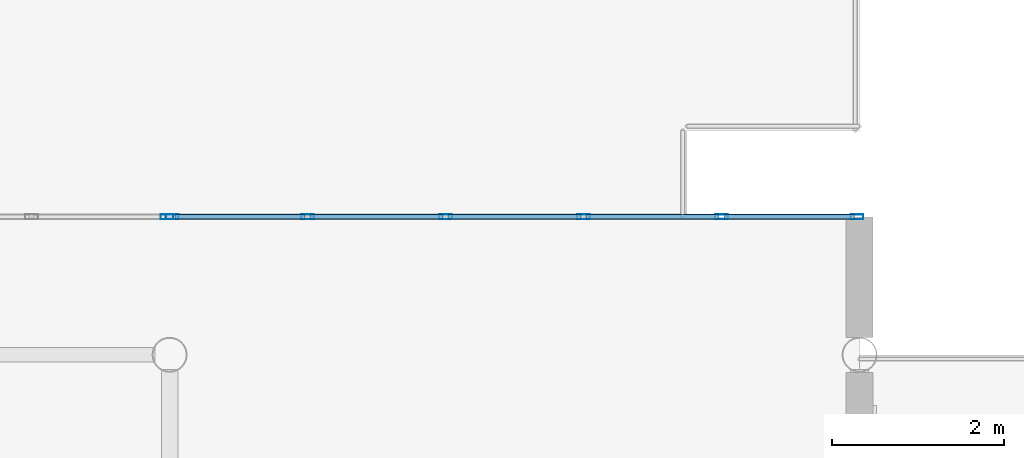
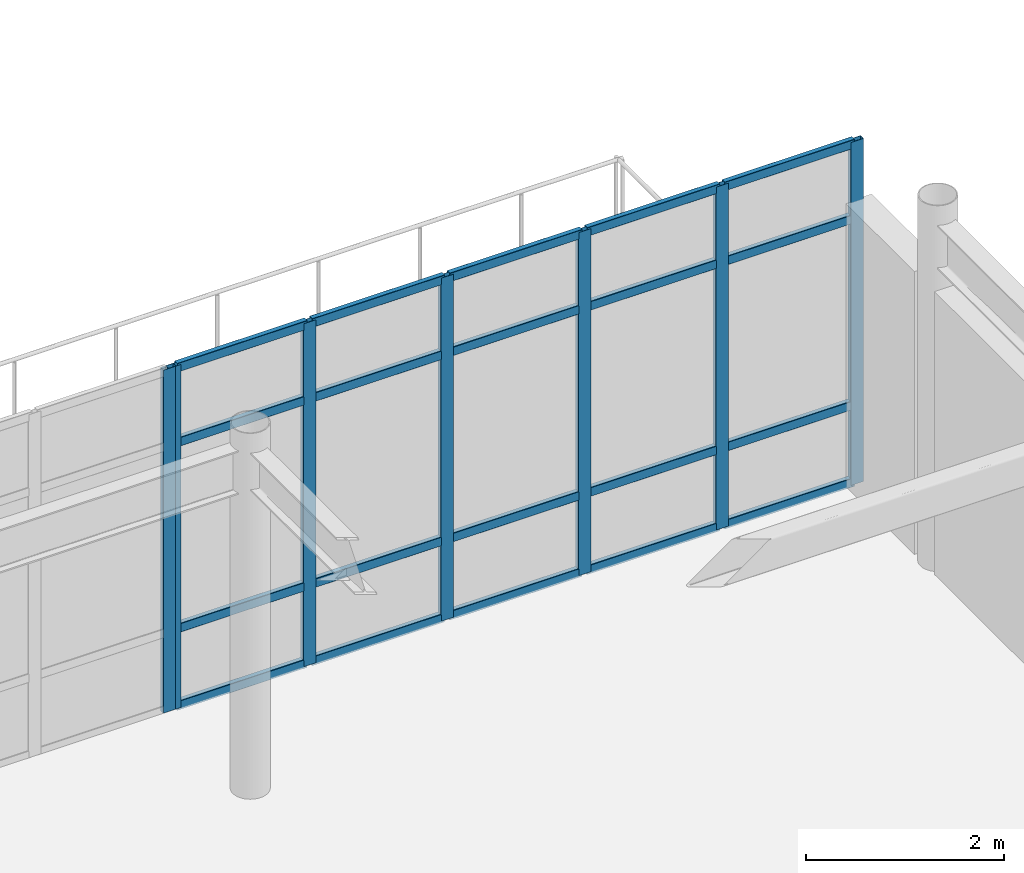
# One storey, part 31 of 93: 27 members, 2 elements without a shape of their own.
"""IFC4 building model written with IfcOpenShell, lengths in metres."""

from ifc_helpers import new_model, si_unit, direction, frame, origin, origin_2d, place, context, subcontext, project, spatial, hollow_rectangle, extrude, material, material_profile, profile_set, type_object, element, aggregate, save


model = new_model("IFC4")

# Units and contexts
model_context = context("Model", 3, precision=1e-05, world=origin(), true_north=direction((0.0, 1.0)))
body_context = subcontext(model_context, "Body", "Model", "MODEL_VIEW")
ifc_project = project(units=[si_unit("LENGTHUNIT", "METRE"), si_unit("AREAUNIT", "SQUARE_METRE"), si_unit("VOLUMEUNIT", "CUBIC_METRE"), si_unit("PLANEANGLEUNIT", "RADIAN"), si_unit("MASSUNIT", "GRAM", prefix="KILO")], contexts=[model_context])

# Site, building, storey
site_placement = place(None, origin())
site = spatial("IfcSite", under=ifc_project, at=site_placement, CompositionType="ELEMENT")
building_placement = place(site_placement, origin())
building = spatial("IfcBuilding", under=site, at=building_placement, Name="Solmirada Galleria", CompositionType="ELEMENT")
storey_placement = place(building_placement, frame((0.0, 0.0, 14.89990234375)))
storey = spatial("IfcBuildingStorey", under=building, at=storey_placement, Name="L03", CompositionType="ELEMENT", Elevation=14.89990234375)

# Curtain wall, member
ifc_material_1 = material(Name="Impact-resistant low-E double glazing", Category="glass")
curtain_wall_type = type_object("IfcCurtainWallType", Name="CW-FZ5-L03-B5-L080", PredefinedType="NOTDEFINED", material=ifc_material_1)
curtain_wall_1_placement = place(storey_placement, origin())
curtain_wall_1 = element("IfcCurtainWall", 1, at=curtain_wall_1_placement, inside=storey, type_object=curtain_wall_type, Name="Terrace and arcade storefront CW-L03-139", PredefinedType="NOTDEFINED")
ifc_material_2 = material(Name="Anodised aluminium framing", Category="aluminium")
ifc_material_profile_1 = material_profile(ifc_material_2, hollow_rectangle(XDim=0.06005859375, YDim=0.14990234375, WallThickness=0.00341796875, InnerFilletRadius=0.00341796875, OuterFilletRadius=0.007080078125, at=origin_2d()), Name="ALU-MULL-150X60")
ifc_profile_set_1 = profile_set([ifc_material_profile_1], Name="Anodised aluminium framing")
member_type_1 = type_object("IfcMemberType", Name="CW-MULL-150", PredefinedType="MULLION", material=ifc_profile_set_1)
member_1_placement = place(storey_placement, frame((135.969970703125, 33.60009765625, 0.0), z_axis=(0.0, 0.0, 1.0), x_axis=(0.0, 1.0, 0.0)))
member_1 = element("IfcMember", 2, at=member_1_placement, type_object=member_type_1, Name="CW29 mullion 6", PredefinedType="MULLION", context=body_context, shape_type="SweptSolid", body=[
    extrude(hollow_rectangle(XDim=0.06005859375, YDim=0.14990234375, WallThickness=0.00341796875, InnerFilletRadius=0.00341796875, OuterFilletRadius=0.007080078125, at=origin_2d()), origin(), (0.0, 0.0, 1.0), 4.22021484375),
])
aggregate(curtain_wall_1, [member_1])

# Curtain wall, members
curtain_wall_2_placement = place(storey_placement, origin())
curtain_wall_2 = element("IfcCurtainWall", 3, at=curtain_wall_2_placement, inside=storey, type_object=curtain_wall_type, Name="Terrace and arcade storefront CW-L03-140", PredefinedType="NOTDEFINED")
member_2_placement = place(storey_placement, frame((136.030029296875, 33.60009765625, 0.0), z_axis=(0.0, 0.0, 1.0), x_axis=(0.0, 1.0, 0.0)))
member_2 = element("IfcMember", 4, at=member_2_placement, type_object=member_type_1, Name="CW29 mullion 1", PredefinedType="MULLION", context=body_context, shape_type="SweptSolid", body=[
    extrude(hollow_rectangle(XDim=0.06005859375, YDim=0.14990234375, WallThickness=0.00341796875, InnerFilletRadius=0.00341796875, OuterFilletRadius=0.007080078125, at=origin_2d()), origin(), (0.0, 0.0, 1.0), 4.22021484375),
])
member_3_placement = place(storey_placement, frame((137.60009765625, 33.60009765625, 0.0), z_axis=(0.0, 0.0, 1.0), x_axis=(0.0, 1.0, 0.0)))
member_3 = element("IfcMember", 5, at=member_3_placement, type_object=member_type_1, Name="CW29 mullion 2", PredefinedType="MULLION", context=body_context, shape_type="SweptSolid", body=[
    extrude(hollow_rectangle(XDim=0.06005859375, YDim=0.14990234375, WallThickness=0.00341796875, InnerFilletRadius=0.00341796875, OuterFilletRadius=0.007080078125, at=origin_2d()), origin(), (0.0, 0.0, 1.0), 4.22021484375),
])
member_4_placement = place(storey_placement, frame((139.199951171875, 33.60009765625, 0.0), z_axis=(0.0, 0.0, 1.0), x_axis=(0.0, 1.0, 0.0)))
member_4 = element("IfcMember", 6, at=member_4_placement, type_object=member_type_1, Name="CW29 mullion 3", PredefinedType="MULLION", context=body_context, shape_type="SweptSolid", body=[
    extrude(hollow_rectangle(XDim=0.06005859375, YDim=0.14990234375, WallThickness=0.00341796875, InnerFilletRadius=0.00341796875, OuterFilletRadius=0.007080078125, at=origin_2d()), origin(), (0.0, 0.0, 1.0), 4.22021484375),
])
member_5_placement = place(storey_placement, frame((140.800048828125, 33.60009765625, 0.0), z_axis=(0.0, 0.0, 1.0), x_axis=(0.0, 1.0, 0.0)))
member_5 = element("IfcMember", 7, at=member_5_placement, type_object=member_type_1, Name="CW29 mullion 4", PredefinedType="MULLION", context=body_context, shape_type="SweptSolid", body=[
    extrude(hollow_rectangle(XDim=0.06005859375, YDim=0.14990234375, WallThickness=0.00341796875, InnerFilletRadius=0.00341796875, OuterFilletRadius=0.007080078125, at=origin_2d()), origin(), (0.0, 0.0, 1.0), 4.22021484375),
])
member_6_placement = place(storey_placement, frame((142.39990234375, 33.60009765625, 0.0), z_axis=(0.0, 0.0, 1.0), x_axis=(0.0, 1.0, 0.0)))
member_6 = element("IfcMember", 8, at=member_6_placement, type_object=member_type_1, Name="CW29 mullion 5", PredefinedType="MULLION", context=body_context, shape_type="SweptSolid", body=[
    extrude(hollow_rectangle(XDim=0.06005859375, YDim=0.14990234375, WallThickness=0.00341796875, InnerFilletRadius=0.00341796875, OuterFilletRadius=0.007080078125, at=origin_2d()), origin(), (0.0, 0.0, 1.0), 4.22021484375),
])
member_7_placement = place(storey_placement, frame((143.969970703125, 33.60009765625, 0.0), z_axis=(0.0, 0.0, 1.0), x_axis=(0.0, 1.0, 0.0)))
member_7 = element("IfcMember", 9, at=member_7_placement, type_object=member_type_1, Name="CW29 mullion 6", PredefinedType="MULLION", context=body_context, shape_type="SweptSolid", body=[
    extrude(hollow_rectangle(XDim=0.06005859375, YDim=0.14990234375, WallThickness=0.00341796875, InnerFilletRadius=0.00341796875, OuterFilletRadius=0.007080078125, at=origin_2d()), origin(), (0.0, 0.0, 1.0), 4.22021484375),
])
ifc_material_profile_2 = material_profile(ifc_material_2, hollow_rectangle(XDim=0.06005859375, YDim=0.110107421875, WallThickness=0.003173828125, InnerFilletRadius=0.003173828125, OuterFilletRadius=0.00634765625, at=origin_2d()), Name="ALU-TRAN-110X60")
ifc_profile_set_2 = profile_set([ifc_material_profile_2], Name="Anodised aluminium framing")
member_type_2 = type_object("IfcMemberType", Name="CW-TRAN-110", PredefinedType="USERDEFINED", material=ifc_profile_set_2)
member_8_placement = place(storey_placement, frame((136.06005859375, 33.60009765625, 0.030029296875), z_axis=(1.0, 0.0, 0.0), x_axis=(0.0, 1.0, 0.0)))
member_8 = element("IfcMember", 10, at=member_8_placement, type_object=member_type_2, Name="CW29 transom 1.1", ObjectType="TRANSOM", PredefinedType="USERDEFINED", context=body_context, shape_type="SweptSolid", body=[
    extrude(hollow_rectangle(XDim=0.06005859375, YDim=0.110107421875, WallThickness=0.003173828125, InnerFilletRadius=0.003173828125, OuterFilletRadius=0.00634765625, at=origin_2d()), origin(), (0.0, 0.0, 1.0), 1.510009765625),
])
member_9_placement = place(storey_placement, frame((136.06005859375, 33.60009765625, 0.97998046875), z_axis=(1.0, 0.0, 0.0), x_axis=(0.0, 1.0, 0.0)))
member_9 = element("IfcMember", 11, at=member_9_placement, type_object=member_type_2, Name="CW29 transom 1.2", ObjectType="TRANSOM", PredefinedType="USERDEFINED", context=body_context, shape_type="SweptSolid", body=[
    extrude(hollow_rectangle(XDim=0.06005859375, YDim=0.110107421875, WallThickness=0.003173828125, InnerFilletRadius=0.003173828125, OuterFilletRadius=0.00634765625, at=origin_2d()), origin(), (0.0, 0.0, 1.0), 1.510009765625),
])
member_10_placement = place(storey_placement, frame((136.06005859375, 33.60009765625, 3.27001953125), z_axis=(1.0, 0.0, 0.0), x_axis=(0.0, 1.0, 0.0)))
member_10 = element("IfcMember", 12, at=member_10_placement, type_object=member_type_2, Name="CW29 transom 1.3", ObjectType="TRANSOM", PredefinedType="USERDEFINED", context=body_context, shape_type="SweptSolid", body=[
    extrude(hollow_rectangle(XDim=0.06005859375, YDim=0.110107421875, WallThickness=0.003173828125, InnerFilletRadius=0.003173828125, OuterFilletRadius=0.00634765625, at=origin_2d()), origin(), (0.0, 0.0, 1.0), 1.510009765625),
])
member_11_placement = place(storey_placement, frame((136.06005859375, 33.60009765625, 4.190185546875), z_axis=(1.0, 0.0, 0.0), x_axis=(0.0, 1.0, 0.0)))
member_11 = element("IfcMember", 13, at=member_11_placement, type_object=member_type_2, Name="CW29 transom 1.4", ObjectType="TRANSOM", PredefinedType="USERDEFINED", context=body_context, shape_type="SweptSolid", body=[
    extrude(hollow_rectangle(XDim=0.06005859375, YDim=0.110107421875, WallThickness=0.003173828125, InnerFilletRadius=0.003173828125, OuterFilletRadius=0.00634765625, at=origin_2d()), origin(), (0.0, 0.0, 1.0), 1.510009765625),
])
member_12_placement = place(storey_placement, frame((137.6298828125, 33.60009765625, 0.030029296875), z_axis=(1.0, 0.0, 0.0), x_axis=(0.0, 1.0, 0.0)))
member_12 = element("IfcMember", 14, at=member_12_placement, type_object=member_type_2, Name="CW29 transom 2.1", ObjectType="TRANSOM", PredefinedType="USERDEFINED", context=body_context, shape_type="SweptSolid", body=[
    extrude(hollow_rectangle(XDim=0.06005859375, YDim=0.110107421875, WallThickness=0.003173828125, InnerFilletRadius=0.003173828125, OuterFilletRadius=0.00634765625, at=origin_2d()), origin(), (0.0, 0.0, 1.0), 1.5400390625),
])
member_13_placement = place(storey_placement, frame((137.6298828125, 33.60009765625, 0.97998046875), z_axis=(1.0, 0.0, 0.0), x_axis=(0.0, 1.0, 0.0)))
member_13 = element("IfcMember", 15, at=member_13_placement, type_object=member_type_2, Name="CW29 transom 2.2", ObjectType="TRANSOM", PredefinedType="USERDEFINED", context=body_context, shape_type="SweptSolid", body=[
    extrude(hollow_rectangle(XDim=0.06005859375, YDim=0.110107421875, WallThickness=0.003173828125, InnerFilletRadius=0.003173828125, OuterFilletRadius=0.00634765625, at=origin_2d()), origin(), (0.0, 0.0, 1.0), 1.5400390625),
])
member_14_placement = place(storey_placement, frame((137.6298828125, 33.60009765625, 3.27001953125), z_axis=(1.0, 0.0, 0.0), x_axis=(0.0, 1.0, 0.0)))
member_14 = element("IfcMember", 16, at=member_14_placement, type_object=member_type_2, Name="CW29 transom 2.3", ObjectType="TRANSOM", PredefinedType="USERDEFINED", context=body_context, shape_type="SweptSolid", body=[
    extrude(hollow_rectangle(XDim=0.06005859375, YDim=0.110107421875, WallThickness=0.003173828125, InnerFilletRadius=0.003173828125, OuterFilletRadius=0.00634765625, at=origin_2d()), origin(), (0.0, 0.0, 1.0), 1.5400390625),
])
member_15_placement = place(storey_placement, frame((137.6298828125, 33.60009765625, 4.190185546875), z_axis=(1.0, 0.0, 0.0), x_axis=(0.0, 1.0, 0.0)))
member_15 = element("IfcMember", 17, at=member_15_placement, type_object=member_type_2, Name="CW29 transom 2.4", ObjectType="TRANSOM", PredefinedType="USERDEFINED", context=body_context, shape_type="SweptSolid", body=[
    extrude(hollow_rectangle(XDim=0.06005859375, YDim=0.110107421875, WallThickness=0.003173828125, InnerFilletRadius=0.003173828125, OuterFilletRadius=0.00634765625, at=origin_2d()), origin(), (0.0, 0.0, 1.0), 1.5400390625),
])
member_16_placement = place(storey_placement, frame((139.22998046875, 33.60009765625, 0.030029296875), z_axis=(1.0, 0.0, 0.0), x_axis=(0.0, 1.0, 0.0)))
member_16 = element("IfcMember", 18, at=member_16_placement, type_object=member_type_2, Name="CW29 transom 3.1", ObjectType="TRANSOM", PredefinedType="USERDEFINED", context=body_context, shape_type="SweptSolid", body=[
    extrude(hollow_rectangle(XDim=0.06005859375, YDim=0.110107421875, WallThickness=0.003173828125, InnerFilletRadius=0.003173828125, OuterFilletRadius=0.00634765625, at=origin_2d()), origin(), (0.0, 0.0, 1.0), 1.5400390625),
])
member_17_placement = place(storey_placement, frame((139.22998046875, 33.60009765625, 0.97998046875), z_axis=(1.0, 0.0, 0.0), x_axis=(0.0, 1.0, 0.0)))
member_17 = element("IfcMember", 19, at=member_17_placement, type_object=member_type_2, Name="CW29 transom 3.2", ObjectType="TRANSOM", PredefinedType="USERDEFINED", context=body_context, shape_type="SweptSolid", body=[
    extrude(hollow_rectangle(XDim=0.06005859375, YDim=0.110107421875, WallThickness=0.003173828125, InnerFilletRadius=0.003173828125, OuterFilletRadius=0.00634765625, at=origin_2d()), origin(), (0.0, 0.0, 1.0), 1.5400390625),
])
member_18_placement = place(storey_placement, frame((139.22998046875, 33.60009765625, 3.27001953125), z_axis=(1.0, 0.0, 0.0), x_axis=(0.0, 1.0, 0.0)))
member_18 = element("IfcMember", 20, at=member_18_placement, type_object=member_type_2, Name="CW29 transom 3.3", ObjectType="TRANSOM", PredefinedType="USERDEFINED", context=body_context, shape_type="SweptSolid", body=[
    extrude(hollow_rectangle(XDim=0.06005859375, YDim=0.110107421875, WallThickness=0.003173828125, InnerFilletRadius=0.003173828125, OuterFilletRadius=0.00634765625, at=origin_2d()), origin(), (0.0, 0.0, 1.0), 1.5400390625),
])
member_19_placement = place(storey_placement, frame((139.22998046875, 33.60009765625, 4.190185546875), z_axis=(1.0, 0.0, 0.0), x_axis=(0.0, 1.0, 0.0)))
member_19 = element("IfcMember", 21, at=member_19_placement, type_object=member_type_2, Name="CW29 transom 3.4", ObjectType="TRANSOM", PredefinedType="USERDEFINED", context=body_context, shape_type="SweptSolid", body=[
    extrude(hollow_rectangle(XDim=0.06005859375, YDim=0.110107421875, WallThickness=0.003173828125, InnerFilletRadius=0.003173828125, OuterFilletRadius=0.00634765625, at=origin_2d()), origin(), (0.0, 0.0, 1.0), 1.5400390625),
])
member_20_placement = place(storey_placement, frame((140.830078125, 33.60009765625, 0.030029296875), z_axis=(1.0, 0.0, 0.0), x_axis=(0.0, 1.0, 0.0)))
member_20 = element("IfcMember", 22, at=member_20_placement, type_object=member_type_2, Name="CW29 transom 4.1", ObjectType="TRANSOM", PredefinedType="USERDEFINED", context=body_context, shape_type="SweptSolid", body=[
    extrude(hollow_rectangle(XDim=0.06005859375, YDim=0.110107421875, WallThickness=0.003173828125, InnerFilletRadius=0.003173828125, OuterFilletRadius=0.00634765625, at=origin_2d()), origin(), (0.0, 0.0, 1.0), 1.5400390625),
])
member_21_placement = place(storey_placement, frame((140.830078125, 33.60009765625, 0.97998046875), z_axis=(1.0, 0.0, 0.0), x_axis=(0.0, 1.0, 0.0)))
member_21 = element("IfcMember", 23, at=member_21_placement, type_object=member_type_2, Name="CW29 transom 4.2", ObjectType="TRANSOM", PredefinedType="USERDEFINED", context=body_context, shape_type="SweptSolid", body=[
    extrude(hollow_rectangle(XDim=0.06005859375, YDim=0.110107421875, WallThickness=0.003173828125, InnerFilletRadius=0.003173828125, OuterFilletRadius=0.00634765625, at=origin_2d()), origin(), (0.0, 0.0, 1.0), 1.5400390625),
])
member_22_placement = place(storey_placement, frame((140.830078125, 33.60009765625, 3.27001953125), z_axis=(1.0, 0.0, 0.0), x_axis=(0.0, 1.0, 0.0)))
member_22 = element("IfcMember", 24, at=member_22_placement, type_object=member_type_2, Name="CW29 transom 4.3", ObjectType="TRANSOM", PredefinedType="USERDEFINED", context=body_context, shape_type="SweptSolid", body=[
    extrude(hollow_rectangle(XDim=0.06005859375, YDim=0.110107421875, WallThickness=0.003173828125, InnerFilletRadius=0.003173828125, OuterFilletRadius=0.00634765625, at=origin_2d()), origin(), (0.0, 0.0, 1.0), 1.5400390625),
])
member_23_placement = place(storey_placement, frame((140.830078125, 33.60009765625, 4.190185546875), z_axis=(1.0, 0.0, 0.0), x_axis=(0.0, 1.0, 0.0)))
member_23 = element("IfcMember", 25, at=member_23_placement, type_object=member_type_2, Name="CW29 transom 4.4", ObjectType="TRANSOM", PredefinedType="USERDEFINED", context=body_context, shape_type="SweptSolid", body=[
    extrude(hollow_rectangle(XDim=0.06005859375, YDim=0.110107421875, WallThickness=0.003173828125, InnerFilletRadius=0.003173828125, OuterFilletRadius=0.00634765625, at=origin_2d()), origin(), (0.0, 0.0, 1.0), 1.5400390625),
])
member_24_placement = place(storey_placement, frame((142.429931640625, 33.60009765625, 0.030029296875), z_axis=(1.0, 0.0, 0.0), x_axis=(0.0, 1.0, 0.0)))
member_24 = element("IfcMember", 26, at=member_24_placement, type_object=member_type_2, Name="CW29 transom 5.1", ObjectType="TRANSOM", PredefinedType="USERDEFINED", context=body_context, shape_type="SweptSolid", body=[
    extrude(hollow_rectangle(XDim=0.06005859375, YDim=0.110107421875, WallThickness=0.003173828125, InnerFilletRadius=0.003173828125, OuterFilletRadius=0.00634765625, at=origin_2d()), origin(), (0.0, 0.0, 1.0), 1.510009765625),
])
member_25_placement = place(storey_placement, frame((142.429931640625, 33.60009765625, 0.97998046875), z_axis=(1.0, 0.0, 0.0), x_axis=(0.0, 1.0, 0.0)))
member_25 = element("IfcMember", 27, at=member_25_placement, type_object=member_type_2, Name="CW29 transom 5.2", ObjectType="TRANSOM", PredefinedType="USERDEFINED", context=body_context, shape_type="SweptSolid", body=[
    extrude(hollow_rectangle(XDim=0.06005859375, YDim=0.110107421875, WallThickness=0.003173828125, InnerFilletRadius=0.003173828125, OuterFilletRadius=0.00634765625, at=origin_2d()), origin(), (0.0, 0.0, 1.0), 1.510009765625),
])
member_26_placement = place(storey_placement, frame((142.429931640625, 33.60009765625, 3.27001953125), z_axis=(1.0, 0.0, 0.0), x_axis=(0.0, 1.0, 0.0)))
member_26 = element("IfcMember", 28, at=member_26_placement, type_object=member_type_2, Name="CW29 transom 5.3", ObjectType="TRANSOM", PredefinedType="USERDEFINED", context=body_context, shape_type="SweptSolid", body=[
    extrude(hollow_rectangle(XDim=0.06005859375, YDim=0.110107421875, WallThickness=0.003173828125, InnerFilletRadius=0.003173828125, OuterFilletRadius=0.00634765625, at=origin_2d()), origin(), (0.0, 0.0, 1.0), 1.510009765625),
])
member_27_placement = place(storey_placement, frame((142.429931640625, 33.60009765625, 4.190185546875), z_axis=(1.0, 0.0, 0.0), x_axis=(0.0, 1.0, 0.0)))
member_27 = element("IfcMember", 29, at=member_27_placement, type_object=member_type_2, Name="CW29 transom 5.4", ObjectType="TRANSOM", PredefinedType="USERDEFINED", context=body_context, shape_type="SweptSolid", body=[
    extrude(hollow_rectangle(XDim=0.06005859375, YDim=0.110107421875, WallThickness=0.003173828125, InnerFilletRadius=0.003173828125, OuterFilletRadius=0.00634765625, at=origin_2d()), origin(), (0.0, 0.0, 1.0), 1.510009765625),
])
aggregate(curtain_wall_2, [member_2, member_3, member_4, member_5, member_6, member_7, member_8, member_9, member_10, member_11, member_12, member_13, member_14, member_15, member_16, member_17, member_18, member_19, member_20, member_21, member_22, member_23, member_24, member_25, member_26, member_27])

save(model, "model.ifc")
